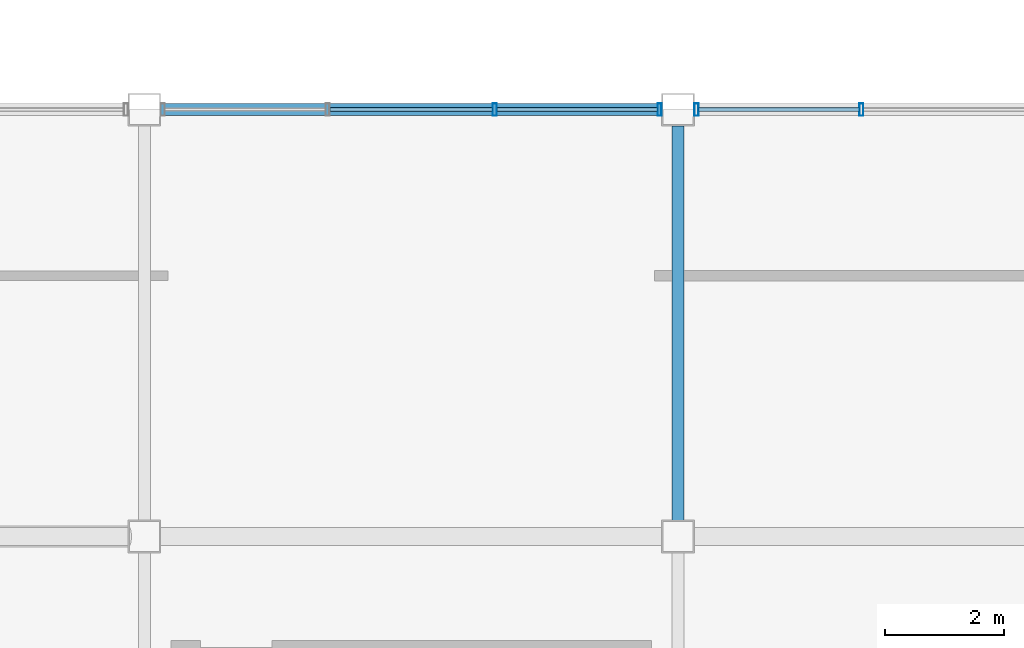
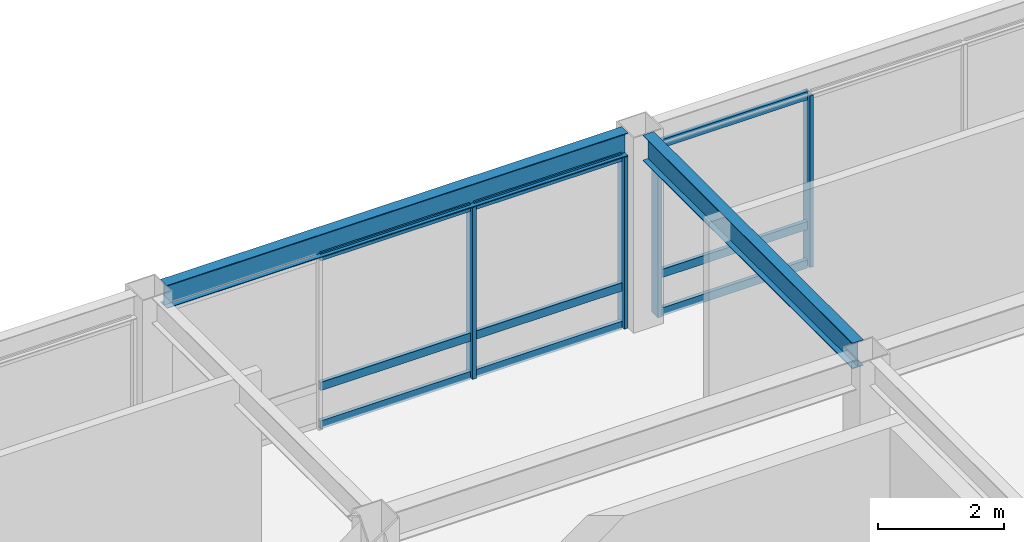
# One storey, part 43 of 113: 13 members, 2 beams, 2 elements without a shape of their own.
"""IFC4 building model written with IfcOpenShell, lengths in metres."""

from ifc_helpers import new_model, si_unit, direction, frame, origin, origin_2d, place, context, subcontext, project, spatial, hollow_rectangle, i_section, extrude, material, material_profile, profile_set, type_object, element, aggregate, save


model = new_model("IFC4")

# Units and contexts
model_context = context("Model", 3, precision=1e-05, world=origin(), true_north=direction((0.0, 1.0)))
body_context = subcontext(model_context, "Body", "Model", "MODEL_VIEW")
ifc_project = project(units=[si_unit("LENGTHUNIT", "METRE"), si_unit("AREAUNIT", "SQUARE_METRE"), si_unit("VOLUMEUNIT", "CUBIC_METRE"), si_unit("PLANEANGLEUNIT", "RADIAN"), si_unit("MASSUNIT", "GRAM", prefix="KILO")], contexts=[model_context])

# Site, building, storey
site_placement = place(None, origin())
site = spatial("IfcSite", under=ifc_project, at=site_placement, CompositionType="ELEMENT")
building_placement = place(site_placement, origin())
building = spatial("IfcBuilding", under=site, at=building_placement, Name="Kazanami Central Library", CompositionType="ELEMENT")
storey_placement = place(building_placement, frame((0.0, 0.0, 8.800048828125)))
storey = spatial("IfcBuildingStorey", under=building, at=storey_placement, Name="L03", CompositionType="ELEMENT", Elevation=8.800048828125)

# Beams
ifc_material_1 = material(Name="Steel SN490B (325 MPa)", Category="steel")
ifc_material_profile_1 = material_profile(ifc_material_1, i_section(OverallWidth=0.199951171875, OverallDepth=0.5, WebThickness=0.010009765625, FlangeThickness=0.01611328125, at=origin_2d()), Name="H-500x200x10x16")
ifc_profile_set_1 = profile_set([ifc_material_profile_1], Name="Steel SN490B (325 MPa)")
beam_type_1 = type_object("IfcBeamType", Name="BM-G-Y2", PredefinedType="BEAM", material=ifc_profile_set_1)
beam_1_placement = place(storey_placement, frame((81.0, 29.072998046875, 3.530029296875), z_axis=(0.0, 1.0, 0.0), x_axis=(-1.0, 0.0, 0.0)))
element("IfcBeam", 1, at=beam_1_placement, inside=storey, type_object=beam_type_1, Name="Girder G-Y2 L03 10/E-F", PredefinedType="BEAM", context=body_context, shape_type="SweptSolid", body=[
    extrude(i_section(OverallWidth=0.199951171875, OverallDepth=0.5, WebThickness=0.010009765625, FlangeThickness=0.01611328125, at=origin_2d()), origin(), (0.0, 0.0, 1.0), 6.654052734375),
])
ifc_material_profile_2 = material_profile(ifc_material_1, i_section(OverallWidth=0.199951171875, OverallDepth=0.449951171875, WebThickness=0.009033203125, FlangeThickness=0.013916015625, at=origin_2d()), Name="H-450x200x9x14")
ifc_profile_set_2 = profile_set([ifc_material_profile_2], Name="Steel SN490B (325 MPa)")
beam_type_2 = type_object("IfcBeamType", Name="BM-SP-2", PredefinedType="SPANDREL", material=ifc_profile_set_2)
beam_2_placement = place(storey_placement, frame((72.27294921875, 36.0, 3.554931640625), z_axis=(1.0, 0.0, 0.0), x_axis=(0.0, 1.0, 0.0)))
element("IfcBeam", 2, at=beam_2_placement, inside=storey, type_object=beam_type_2, Name="Girder SP-2 L03 F/9-10", PredefinedType="SPANDREL", context=body_context, shape_type="SweptSolid", body=[
    extrude(i_section(OverallWidth=0.199951171875, OverallDepth=0.449951171875, WebThickness=0.009033203125, FlangeThickness=0.013916015625, at=origin_2d()), origin(), (0.0, 0.0, 1.0), 8.4541015625),
])

# Curtain wall, members
ifc_material_2 = material(Name="Acid-Etched Low-E Laminated Glass", Category="glass")
curtain_wall_type = type_object("IfcCurtainWallType", Name="CW-8450x3330-M275", PredefinedType="USERDEFINED", material=ifc_material_2)
curtain_wall_1_placement = place(storey_placement, origin())
curtain_wall_1 = element("IfcCurtainWall", 3, at=curtain_wall_1_placement, inside=storey, type_object=curtain_wall_type, Name="Unitised Curtain Wall CW-25 L03 N-F-08", ObjectType="UNITISED CURTAIN WALL", PredefinedType="USERDEFINED")
ifc_material_3 = material(Name="Anodised Aluminium A6063-T5", Category="aluminium")
ifc_material_profile_3 = material_profile(ifc_material_3, hollow_rectangle(XDim=0.070068359375, YDim=0.2099609375, WallThickness=0.0048828125, at=origin_2d()), Name="ALU-MULL-70x210x5")
ifc_profile_set_3 = profile_set([ifc_material_profile_3], Name="Anodised Aluminium A6063-T5")
member_type_1 = type_object("IfcMemberType", Name="MEM-CW-M1", PredefinedType="MULLION", material=ifc_profile_set_3)
member_1_placement = place(storey_placement, frame((80.68994140625, 36.0, 0.0), z_axis=(0.0, 0.0, 1.0), x_axis=(-1.0, 0.0, 0.0)))
member_1 = element("IfcMember", 4, at=member_1_placement, type_object=member_type_1, Name="CW-25 mullion 1", PredefinedType="MULLION", context=body_context, shape_type="SweptSolid", body=[
    extrude(hollow_rectangle(XDim=0.070068359375, YDim=0.2099609375, WallThickness=0.0048828125, at=origin_2d()), origin(), (0.0, 0.0, 1.0), 3.329833984375),
])
member_2_placement = place(storey_placement, frame((77.908447265625, 36.0, 0.0), z_axis=(0.0, 0.0, 1.0), x_axis=(-1.0, 0.0, 0.0)))
member_2 = element("IfcMember", 5, at=member_2_placement, type_object=member_type_1, Name="CW-25 mullion 2", PredefinedType="MULLION", context=body_context, shape_type="SweptSolid", body=[
    extrude(hollow_rectangle(XDim=0.070068359375, YDim=0.2099609375, WallThickness=0.0048828125, at=origin_2d()), origin(), (0.0, 0.0, 1.0), 3.329833984375),
])

curtain_wall_2_placement = place(storey_placement, origin())
curtain_wall_2 = element("IfcCurtainWall", 6, at=curtain_wall_2_placement, inside=storey, type_object=curtain_wall_type, Name="Unitised Curtain Wall CW-25 L03 N-F-09", ObjectType="UNITISED CURTAIN WALL", PredefinedType="USERDEFINED")
member_3_placement = place(storey_placement, frame((84.091552734375, 36.0, 0.0), z_axis=(0.0, 0.0, 1.0), x_axis=(-1.0, 0.0, 0.0)))
member_3 = element("IfcMember", 7, at=member_3_placement, type_object=member_type_1, Name="CW-25 mullion 3", PredefinedType="MULLION", context=body_context, shape_type="SweptSolid", body=[
    extrude(hollow_rectangle(XDim=0.070068359375, YDim=0.2099609375, WallThickness=0.0048828125, at=origin_2d()), origin(), (0.0, 0.0, 1.0), 3.329833984375),
])
member_4_placement = place(storey_placement, frame((81.31005859375, 36.0, 0.0), z_axis=(0.0, 0.0, 1.0), x_axis=(-1.0, 0.0, 0.0)))
member_4 = element("IfcMember", 8, at=member_4_placement, type_object=member_type_1, Name="CW-25 mullion 4", PredefinedType="MULLION", context=body_context, shape_type="SweptSolid", body=[
    extrude(hollow_rectangle(XDim=0.070068359375, YDim=0.2099609375, WallThickness=0.0048828125, at=origin_2d()), origin(), (0.0, 0.0, 1.0), 3.329833984375),
])

# Member
ifc_material_profile_4 = material_profile(ifc_material_3, hollow_rectangle(XDim=0.070068359375, YDim=0.159912109375, WallThickness=0.00390625, at=origin_2d()), Name="ALU-TRAN-70x160x4")
ifc_profile_set_4 = profile_set([ifc_material_profile_4], Name="Anodised Aluminium A6063-T5")
member_type_2 = type_object("IfcMemberType", Name="MEM-CW-T1", PredefinedType="USERDEFINED", material=ifc_profile_set_4)
member_5_placement = place(storey_placement, frame((80.655029296875, 36.0, 0.034912109375), z_axis=(-1.0, 0.0, 0.0), x_axis=(0.0, -1.0, 0.0)))
member_5 = element("IfcMember", 9, at=member_5_placement, type_object=member_type_2, Name="CW-25 transom 1.1", ObjectType="TRANSOM", PredefinedType="USERDEFINED", context=body_context, shape_type="SweptSolid", body=[
    extrude(hollow_rectangle(XDim=0.070068359375, YDim=0.159912109375, WallThickness=0.00390625, at=origin_2d()), origin(), (0.0, 0.0, 1.0), 2.711669921875),
])

member_6_placement = place(storey_placement, frame((80.655029296875, 36.0, 0.780029296875), z_axis=(-1.0, 0.0, 0.0), x_axis=(0.0, -1.0, 0.0)))
member_6 = element("IfcMember", 10, at=member_6_placement, type_object=member_type_2, Name="CW-25 transom 1.2", ObjectType="TRANSOM", PredefinedType="USERDEFINED", context=body_context, shape_type="SweptSolid", body=[
    extrude(hollow_rectangle(XDim=0.070068359375, YDim=0.159912109375, WallThickness=0.00390625, at=origin_2d()), origin(), (0.0, 0.0, 1.0), 2.711669921875),
])

member_7_placement = place(storey_placement, frame((80.655029296875, 36.0, 3.294921875), z_axis=(-1.0, 0.0, 0.0), x_axis=(0.0, -1.0, 0.0)))
member_7 = element("IfcMember", 11, at=member_7_placement, type_object=member_type_2, Name="CW-25 transom 1.3", ObjectType="TRANSOM", PredefinedType="USERDEFINED", context=body_context, shape_type="SweptSolid", body=[
    extrude(hollow_rectangle(XDim=0.070068359375, YDim=0.159912109375, WallThickness=0.00390625, at=origin_2d()), origin(), (0.0, 0.0, 1.0), 2.711669921875),
])

member_8_placement = place(storey_placement, frame((77.873291015625, 36.0, 0.034912109375), z_axis=(-1.0, 0.0, 0.0), x_axis=(0.0, -1.0, 0.0)))
member_8 = element("IfcMember", 12, at=member_8_placement, type_object=member_type_2, Name="CW-25 transom 2.1", ObjectType="TRANSOM", PredefinedType="USERDEFINED", context=body_context, shape_type="SweptSolid", body=[
    extrude(hollow_rectangle(XDim=0.070068359375, YDim=0.159912109375, WallThickness=0.00390625, at=origin_2d()), origin(), (0.0, 0.0, 1.0), 2.74658203125),
])

member_9_placement = place(storey_placement, frame((77.873291015625, 36.0, 0.780029296875), z_axis=(-1.0, 0.0, 0.0), x_axis=(0.0, -1.0, 0.0)))
member_9 = element("IfcMember", 13, at=member_9_placement, type_object=member_type_2, Name="CW-25 transom 2.2", ObjectType="TRANSOM", PredefinedType="USERDEFINED", context=body_context, shape_type="SweptSolid", body=[
    extrude(hollow_rectangle(XDim=0.070068359375, YDim=0.159912109375, WallThickness=0.00390625, at=origin_2d()), origin(), (0.0, 0.0, 1.0), 2.74658203125),
])

member_10_placement = place(storey_placement, frame((77.873291015625, 36.0, 3.294921875), z_axis=(-1.0, 0.0, 0.0), x_axis=(0.0, -1.0, 0.0)))
member_10 = element("IfcMember", 14, at=member_10_placement, type_object=member_type_2, Name="CW-25 transom 2.3", ObjectType="TRANSOM", PredefinedType="USERDEFINED", context=body_context, shape_type="SweptSolid", body=[
    extrude(hollow_rectangle(XDim=0.070068359375, YDim=0.159912109375, WallThickness=0.00390625, at=origin_2d()), origin(), (0.0, 0.0, 1.0), 2.74658203125),
])

aggregate(curtain_wall_1, [member_1, member_2, member_5, member_6, member_7, member_8, member_9, member_10])

member_11_placement = place(storey_placement, frame((84.056640625, 36.0, 0.034912109375), z_axis=(-1.0, 0.0, 0.0), x_axis=(0.0, -1.0, 0.0)))
member_11 = element("IfcMember", 15, at=member_11_placement, type_object=member_type_2, Name="CW-25 transom 3.1", ObjectType="TRANSOM", PredefinedType="USERDEFINED", context=body_context, shape_type="SweptSolid", body=[
    extrude(hollow_rectangle(XDim=0.070068359375, YDim=0.159912109375, WallThickness=0.00390625, at=origin_2d()), origin(), (0.0, 0.0, 1.0), 2.711669921875),
])

member_12_placement = place(storey_placement, frame((84.056640625, 36.0, 0.780029296875), z_axis=(-1.0, 0.0, 0.0), x_axis=(0.0, -1.0, 0.0)))
member_12 = element("IfcMember", 16, at=member_12_placement, type_object=member_type_2, Name="CW-25 transom 3.2", ObjectType="TRANSOM", PredefinedType="USERDEFINED", context=body_context, shape_type="SweptSolid", body=[
    extrude(hollow_rectangle(XDim=0.070068359375, YDim=0.159912109375, WallThickness=0.00390625, at=origin_2d()), origin(), (0.0, 0.0, 1.0), 2.711669921875),
])

member_13_placement = place(storey_placement, frame((84.056640625, 36.0, 3.294921875), z_axis=(-1.0, 0.0, 0.0), x_axis=(0.0, -1.0, 0.0)))
member_13 = element("IfcMember", 17, at=member_13_placement, type_object=member_type_2, Name="CW-25 transom 3.3", ObjectType="TRANSOM", PredefinedType="USERDEFINED", context=body_context, shape_type="SweptSolid", body=[
    extrude(hollow_rectangle(XDim=0.070068359375, YDim=0.159912109375, WallThickness=0.00390625, at=origin_2d()), origin(), (0.0, 0.0, 1.0), 2.711669921875),
])

aggregate(curtain_wall_2, [member_3, member_4, member_11, member_12, member_13])

save(model, "model.ifc")
